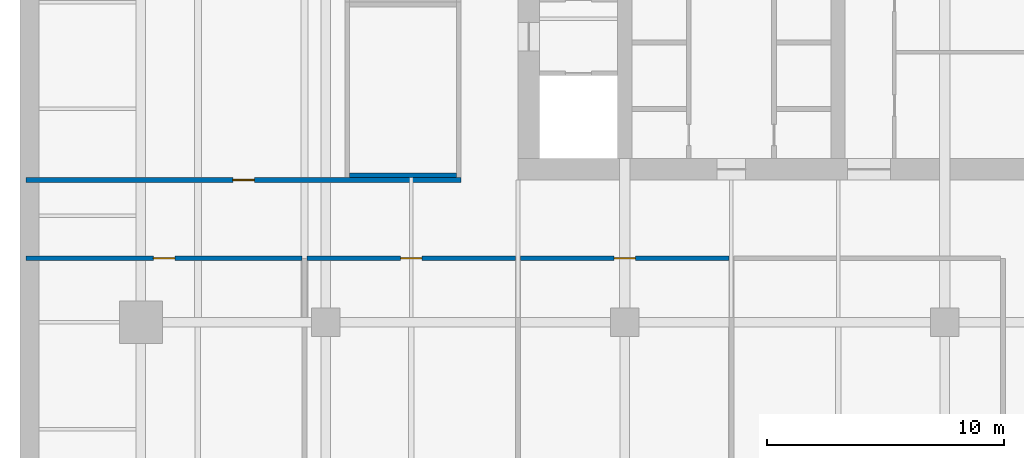
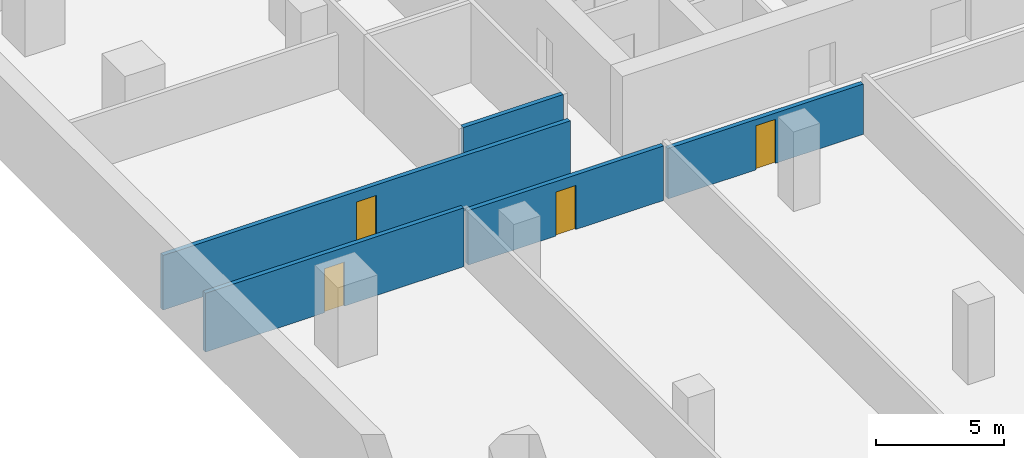
# One storey, part 4 of 10: 5 walls, 4 doors, 4 openings.
"""IFC4 building model written with IfcOpenShell, lengths in metres."""

from ifc_helpers import new_model, si_unit, direction, frame, frame_2d, origin, place, context, subcontext, project, spatial, rectangle, extrude, material, layer, layer_set, type_object, element, fill, save


model = new_model("IFC4")

# Units and contexts
model_context = context("Model", 3, precision=1e-05, world=origin(), true_north=direction((0.0, 1.0)))
body_context = subcontext(model_context, "Body", "Model", "MODEL_VIEW")
ifc_project = project(units=[si_unit("LENGTHUNIT", "METRE"), si_unit("AREAUNIT", "SQUARE_METRE"), si_unit("VOLUMEUNIT", "CUBIC_METRE"), si_unit("PLANEANGLEUNIT", "RADIAN"), si_unit("MASSUNIT", "GRAM", prefix="KILO")], contexts=[model_context])

# Site, building, storey
site_placement = place(None, origin())
site = spatial("IfcSite", under=ifc_project, at=site_placement, CompositionType="ELEMENT")
building_placement = place(site_placement, origin())
building = spatial("IfcBuilding", under=site, at=building_placement, Name="Rattan Terrace Tower", CompositionType="ELEMENT")
storey_placement = place(building_placement, frame((0.0, 0.0, -9.5)))
storey = spatial("IfcBuildingStorey", under=building, at=storey_placement, Name="B2", CompositionType="ELEMENT", Elevation=-9.5)

# Wall, opening, door
ifc_material_1 = material(Name="Concrete block wall, plastered", Category="concrete")
ifc_layer_1 = layer(ifc_material_1, 0.199951171875)
ifc_layer_set_1 = layer_set([ifc_layer_1], Name="Floors Plant Wall 200")
wall_type_1 = type_object("IfcWallType", Name="Floors Plant Wall 200", PredefinedType="PARTITIONING", material=ifc_layer_set_1)
wall_1_placement = place(storey_placement, frame((-27.10205078125, -10.800048828125, 0.0), z_axis=(0.0, 0.0, 1.0), x_axis=(-1.0, 0.0, 0.0)))
wall_1 = element("IfcWall", 1, at=wall_1_placement, inside=storey, type_object=wall_type_1, Name="pt-B2-001", PredefinedType="PARTITIONING", context=body_context, shape_type="SweptSolid", body=[
    extrude(rectangle(XDim=11.637939453125, YDim=0.199951171875, at=frame_2d((5.81884765625, 0.0))), origin(), (0.0, 0.0, 1.0), 2.800048828125),
])
opening_1_placement = place(wall_1_placement, frame((5.368896484375, 0.0, 0.0)))
opening_1 = element("IfcOpeningElement", 2, at=opening_1_placement, cuts=wall_1, Name="Opening B2-D100", PredefinedType="OPENING", context=body_context, shape_type="SweptSolid", body=[
    extrude(rectangle(XDim=0.89990234375, YDim=2.10009765625, at=frame_2d((0.449951171875, 1.050048828125))), frame((0.0, 0.110595703125, 0.0), z_axis=(0.0, -1.0, 0.0), x_axis=(1.0, 0.0, 0.0)), (0.0, 0.0, 1.0), 0.220947265625),
])
ifc_material_2 = material(Name="Steel fire door set", Category="steel")
door_type = type_object("IfcDoorType", Name="Floors Fire Door FD60 900x2100", OperationType="NOTDEFINED", PredefinedType="DOOR", material=ifc_material_2)
door_1_placement = place(opening_1_placement, origin())
door_1 = element("IfcDoor", 3, at=door_1_placement, inside=storey, type_object=door_type, Name="d-B2-100", OperationType="SINGLE_SWING_LEFT", OverallHeight=2.10009765625, OverallWidth=0.89990234375, PredefinedType="DOOR", context=body_context, shape_type="SweptSolid", body=[
    extrude(rectangle(XDim=0.89990234375, YDim=2.10009765625, at=frame_2d((0.449951171875, 1.050048828125))), frame((0.0, 0.02490234375, 0.0), z_axis=(0.0, -1.0, 0.0), x_axis=(1.0, 0.0, 0.0)), (0.0, 0.0, 1.0), 0.050048828125),
])
fill(opening_1, door_1)

wall_2_placement = place(storey_placement, frame((-18.10009765625, -10.799072265625, 0.0), z_axis=(0.0, 0.0, 1.0), x_axis=(-1.0, 0.0, 0.0)))
wall_2 = element("IfcWall", 4, at=wall_2_placement, inside=storey, type_object=wall_type_1, Name="pt-B2-002", PredefinedType="PARTITIONING", context=body_context, shape_type="SweptSolid", body=[
    extrude(rectangle(XDim=8.802001953125, YDim=0.199951171875, at=frame_2d((4.40087890625, 0.0))), origin(), (0.0, 0.0, 1.0), 2.60009765625),
])
opening_2_placement = place(wall_2_placement, frame((3.950927734375, 0.0, 0.0)))
opening_2 = element("IfcOpeningElement", 5, at=opening_2_placement, cuts=wall_2, Name="Opening B2-D101", PredefinedType="OPENING", context=body_context, shape_type="SweptSolid", body=[
    extrude(rectangle(XDim=0.89990234375, YDim=2.10009765625, at=frame_2d((0.449951171875, 1.050048828125))), frame((0.0, 0.110595703125, 0.0), z_axis=(0.0, -1.0, 0.0), x_axis=(1.0, 0.0, 0.0)), (0.0, 0.0, 1.0), 0.220947265625),
])
door_2_placement = place(opening_2_placement, origin())
door_2 = element("IfcDoor", 6, at=door_2_placement, inside=storey, type_object=door_type, Name="d-B2-101", OperationType="SINGLE_SWING_RIGHT", OverallHeight=2.10009765625, OverallWidth=0.89990234375, PredefinedType="DOOR", context=body_context, shape_type="SweptSolid", body=[
    extrude(rectangle(XDim=0.89990234375, YDim=2.10009765625, at=frame_2d((0.449951171875, 1.050048828125))), frame((0.0, 0.02490234375, 0.0), z_axis=(0.0, -1.0, 0.0), x_axis=(1.0, 0.0, 0.0)), (0.0, 0.0, 1.0), 0.050048828125),
])
fill(opening_2, door_2)

wall_3_placement = place(storey_placement, frame((-9.10009765625, -10.800048828125, 0.0), z_axis=(0.0, 0.0, 1.0), x_axis=(-1.0, 0.0, 0.0)))
wall_3 = element("IfcWall", 7, at=wall_3_placement, inside=storey, type_object=wall_type_1, Name="pt-B2-003", PredefinedType="PARTITIONING", context=body_context, shape_type="SweptSolid", body=[
    extrude(rectangle(XDim=8.7998046875, YDim=0.199951171875, at=frame_2d((4.39990234375, 0.0))), origin(), (0.0, 0.0, 1.0), 2.39990234375),
])
opening_3_placement = place(wall_3_placement, frame((3.949951171875, 0.0, 0.0)))
opening_3 = element("IfcOpeningElement", 8, at=opening_3_placement, cuts=wall_3, Name="Opening B2-D102", PredefinedType="OPENING", context=body_context, shape_type="SweptSolid", body=[
    extrude(rectangle(XDim=0.89990234375, YDim=2.10009765625, at=frame_2d((0.449951171875, 1.050048828125))), frame((0.0, 0.110595703125, 0.0), z_axis=(0.0, -1.0, 0.0), x_axis=(1.0, 0.0, 0.0)), (0.0, 0.0, 1.0), 0.220947265625),
])
door_3_placement = place(opening_3_placement, origin())
door_3 = element("IfcDoor", 9, at=door_3_placement, inside=storey, type_object=door_type, Name="d-B2-102", OperationType="SINGLE_SWING_LEFT", OverallHeight=2.10009765625, OverallWidth=0.89990234375, PredefinedType="DOOR", context=body_context, shape_type="SweptSolid", body=[
    extrude(rectangle(XDim=0.89990234375, YDim=2.10009765625, at=frame_2d((0.449951171875, 1.050048828125))), frame((0.0, 0.02490234375, 0.0), z_axis=(0.0, -1.0, 0.0), x_axis=(1.0, 0.0, 0.0)), (0.0, 0.0, 1.0), 0.050048828125),
])
fill(opening_3, door_3)

wall_4_placement = place(storey_placement, frame((-38.739990234375, -7.5, 0.0), z_axis=(0.0, 0.0, 1.0), x_axis=(1.0, 0.0, 0.0)))
wall_4 = element("IfcWall", 10, at=wall_4_placement, inside=storey, type_object=wall_type_1, Name="pt-B2-010", PredefinedType="PARTITIONING", context=body_context, shape_type="SweptSolid", body=[
    extrude(rectangle(XDim=18.340087890625, YDim=0.199951171875, at=frame_2d((9.169921875, 0.0))), origin(), (0.0, 0.0, 1.0), 2.60009765625),
])
opening_4_placement = place(wall_4_placement, frame((8.719970703125, 0.0, 0.0)))
opening_4 = element("IfcOpeningElement", 11, at=opening_4_placement, cuts=wall_4, Name="Opening B2-D107", PredefinedType="OPENING", context=body_context, shape_type="SweptSolid", body=[
    extrude(rectangle(XDim=0.89990234375, YDim=2.10009765625, at=frame_2d((0.449951171875, 1.050048828125))), frame((0.0, 0.110595703125, 0.0), z_axis=(0.0, -1.0, 0.0), x_axis=(1.0, 0.0, 0.0)), (0.0, 0.0, 1.0), 0.220947265625),
])
door_4_placement = place(opening_4_placement, origin())
door_4 = element("IfcDoor", 12, at=door_4_placement, inside=storey, type_object=door_type, Name="d-B2-107", OperationType="SINGLE_SWING_RIGHT", OverallHeight=2.10009765625, OverallWidth=0.89990234375, PredefinedType="DOOR", context=body_context, shape_type="SweptSolid", body=[
    extrude(rectangle(XDim=0.89990234375, YDim=2.10009765625, at=frame_2d((0.449951171875, 1.050048828125))), frame((0.0, 0.02490234375, 0.0), z_axis=(0.0, -1.0, 0.0), x_axis=(1.0, 0.0, 0.0)), (0.0, 0.0, 1.0), 0.050048828125),
])
fill(opening_4, door_4)

# Wall
ifc_material_3 = material(Name="Concrete C40/50", Category="concrete")
ifc_layer_2 = layer(ifc_material_3, 0.199951171875)
ifc_layer_set_2 = layer_set([ifc_layer_2], Name="Podium exit stair shaft wall 200")
wall_type_2 = type_object("IfcWallType", Name="Podium exit stair shaft wall 200", PredefinedType="SHEAR", material=ifc_layer_set_2)
wall_5_placement = place(storey_placement, frame((-25.10009765625, -7.300048828125, -0.199951171875), z_axis=(0.0, 0.0, 1.0), x_axis=(1.0, 0.0, 0.0)))
element("IfcWall", 13, at=wall_5_placement, inside=storey, type_object=wall_type_2, Name="B2 stair S4 shaft wall", PredefinedType="SHEAR", context=body_context, shape_type="SweptSolid", body=[
    extrude(rectangle(XDim=4.5, YDim=0.199951171875, at=frame_2d((2.25, 0.0))), origin(), (0.0, 0.0, 1.0), 4.0),
])

save(model, "model.ifc")
